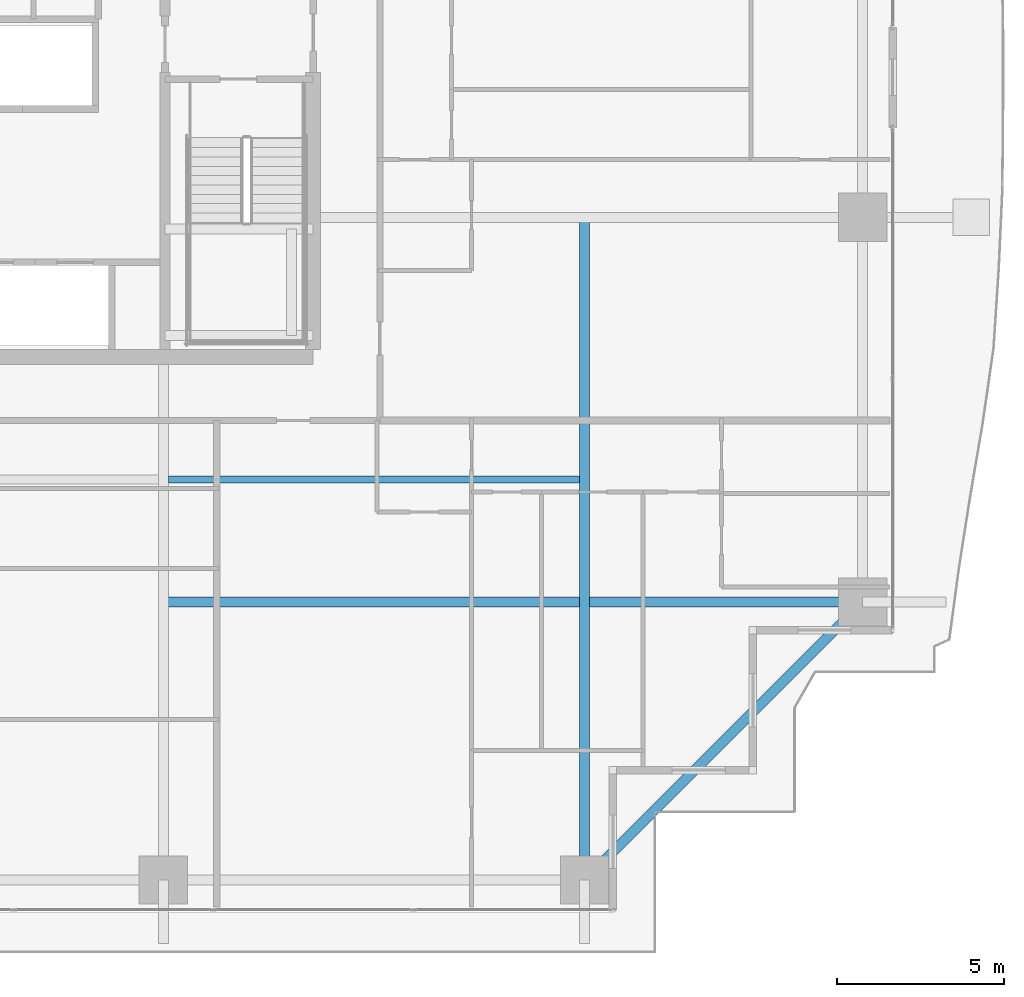
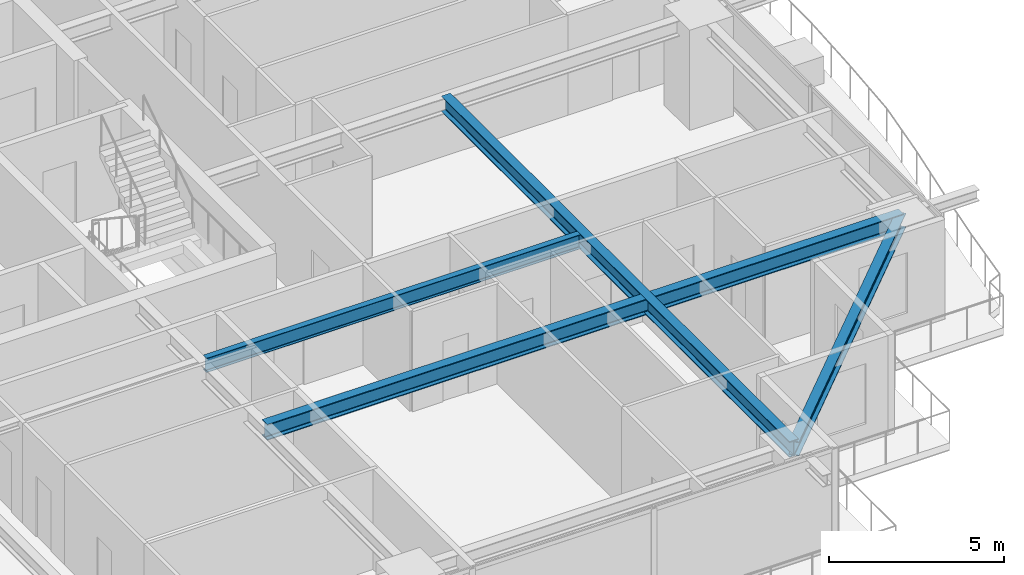
# One storey, part 11 of 37: 4 beams.
"""IFC4 building model written with IfcOpenShell, lengths in metres."""

from ifc_helpers import new_model, si_unit, direction, frame, origin, origin_2d, place, context, subcontext, project, spatial, i_section, extrude, source, transform, mapped, material, material_profile, profile_set, type_object, element, save


model = new_model("IFC4")

# Units and contexts
model_context = context("Model", 3, precision=1e-05, world=origin(), true_north=direction((0.0, 1.0)))
body_context = subcontext(model_context, "Body", "Model", "MODEL_VIEW")
ifc_project = project(units=[si_unit("LENGTHUNIT", "METRE"), si_unit("AREAUNIT", "SQUARE_METRE"), si_unit("VOLUMEUNIT", "CUBIC_METRE"), si_unit("PLANEANGLEUNIT", "RADIAN"), si_unit("MASSUNIT", "GRAM", prefix="KILO")], contexts=[model_context])

# Site, building, storey
site_placement = place(None, origin())
site = spatial("IfcSite", under=ifc_project, at=site_placement, CompositionType="ELEMENT")
building_placement = place(site_placement, origin())
building = spatial("IfcBuilding", under=site, at=building_placement, Name="Serunith Strait Residences", CompositionType="ELEMENT")
storey_placement = place(building_placement, frame((0.0, 0.0, 26.699951171875)))
storey = spatial("IfcBuildingStorey", under=building, at=storey_placement, Name="L05", CompositionType="ELEMENT", Elevation=26.699951171875)

# Beams
ifc_material = material(Name="Steel S355J2", Category="steel")
ifc_material_profile_1 = material_profile(ifc_material, i_section(OverallWidth=0.300048828125, OverallDepth=0.550048828125, WebThickness=0.014892578125, FlangeThickness=0.029052734375, FilletRadius=0.027099609375, at=origin_2d()), Name="HEB 550")
ifc_profile_set_1 = profile_set([ifc_material_profile_1], Name="Steel S355J2")
beam_type_1 = type_object("IfcBeamType", Name="BM-HEB550", PredefinedType="BEAM", material=ifc_profile_set_1)
shared_shape_1 = source(origin(), body_context, "Body", "SweptSolid", [
    extrude(i_section(OverallWidth=0.300048828125, OverallDepth=0.550048828125, WebThickness=0.014892578125, FlangeThickness=0.029052734375, FilletRadius=0.027099609375, at=origin_2d()), origin(), (0.0, 0.0, 1.0), 19.89990234375),
])
beam_1_placement = place(storey_placement, frame((49.550048828125, 21.0, 3.212158203125), z_axis=(0.0, -1.0, 0.0), x_axis=(1.0, 0.0, 0.0)))
element("IfcBeam", 1, at=beam_1_placement, inside=storey, type_object=beam_type_1, Name="L05 Orthogonal Corner Girder TC-S4", PredefinedType="BEAM", context=body_context, shape_type="MappedRepresentation", body=[
    mapped(shared_shape_1, transform((0.0, 0.0, 0.0), scale=1.0)),
])
shared_shape_2 = source(origin(), body_context, "Body", "SweptSolid", [
    extrude(i_section(OverallWidth=0.300048828125, OverallDepth=0.550048828125, WebThickness=0.014892578125, FlangeThickness=0.029052734375, FilletRadius=0.027099609375, at=origin_2d()), origin(), (0.0, 0.0, 1.0), 21.0),
])
beam_2_placement = place(storey_placement, frame((36.89990234375, 9.449951171875, 3.212158203125), z_axis=(1.0, 0.0, 0.0), x_axis=(0.0, 1.0, 0.0)))
element("IfcBeam", 2, at=beam_2_placement, inside=storey, type_object=beam_type_1, Name="L05 Orthogonal Corner Girder TC-E1", PredefinedType="BEAM", context=body_context, shape_type="MappedRepresentation", body=[
    mapped(shared_shape_2, transform((0.0, 0.0, 0.0), scale=1.0)),
])
ifc_material_profile_2 = material_profile(ifc_material, i_section(OverallWidth=0.300048828125, OverallDepth=0.5, WebThickness=0.014404296875, FlangeThickness=0.028076171875, FilletRadius=0.027099609375, at=origin_2d()), Name="HEB 500")
ifc_profile_set_2 = profile_set([ifc_material_profile_2], Name="Steel S355J2")
beam_type_2 = type_object("IfcBeamType", Name="BM-HEB500", PredefinedType="BEAM", material=ifc_profile_set_2)
shared_shape_3 = source(origin(), body_context, "Body", "SweptSolid", [
    extrude(i_section(OverallWidth=0.300048828125, OverallDepth=0.5, WebThickness=0.014404296875, FlangeThickness=0.028076171875, FilletRadius=0.027099609375, at=origin_2d()), origin(), (0.0, 0.0, 1.0), 11.80859375),
])
beam_3_placement = place(storey_placement, frame((49.550048828125, 1.10009765625, 3.20703125), z_axis=(0.707106781187, 0.707106781187, 0.0), x_axis=(-0.707106781187, 0.707106781187, 0.0)))
element("IfcBeam", 3, at=beam_3_placement, inside=storey, type_object=beam_type_2, Name="L05 Perimeter Ring Beam 04", PredefinedType="BEAM", context=body_context, shape_type="MappedRepresentation", body=[
    mapped(shared_shape_3, transform((0.0, 0.0, 0.0), scale=1.0)),
])
ifc_material_profile_3 = material_profile(ifc_material, i_section(OverallWidth=0.199951171875, OverallDepth=0.5, WebThickness=0.01025390625, FlangeThickness=0.01611328125, FilletRadius=0.02099609375, at=origin_2d()), Name="IPE 500")
ifc_profile_set_3 = profile_set([ifc_material_profile_3], Name="Steel S355J2")
beam_type_3 = type_object("IfcBeamType", Name="BM-IPE500", PredefinedType="JOIST", material=ifc_profile_set_3)
shared_shape_4 = source(origin(), body_context, "Body", "SweptSolid", [
    extrude(i_section(OverallWidth=0.199951171875, OverallDepth=0.5, WebThickness=0.01025390625, FlangeThickness=0.01611328125, FilletRadius=0.02099609375, at=origin_2d()), origin(), (0.0, 0.0, 1.0), 12.349853515625),
])
beam_4_placement = place(storey_placement, frame((37.050048828125, 13.125, 3.237060546875), z_axis=(1.0, 0.0, 0.0), x_axis=(0.0, 1.0, 0.0)))
element("IfcBeam", 4, at=beam_4_placement, inside=storey, type_object=beam_type_3, Name="L05 Composite Floor Joist 03", PredefinedType="JOIST", context=body_context, shape_type="MappedRepresentation", body=[
    mapped(shared_shape_4, transform((0.0, 0.0, 0.0), scale=1.0)),
])

save(model, "model.ifc")
